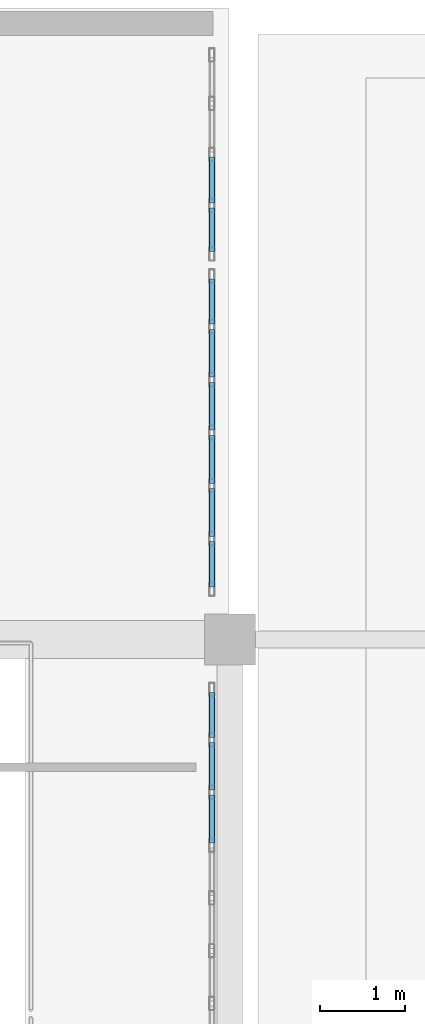
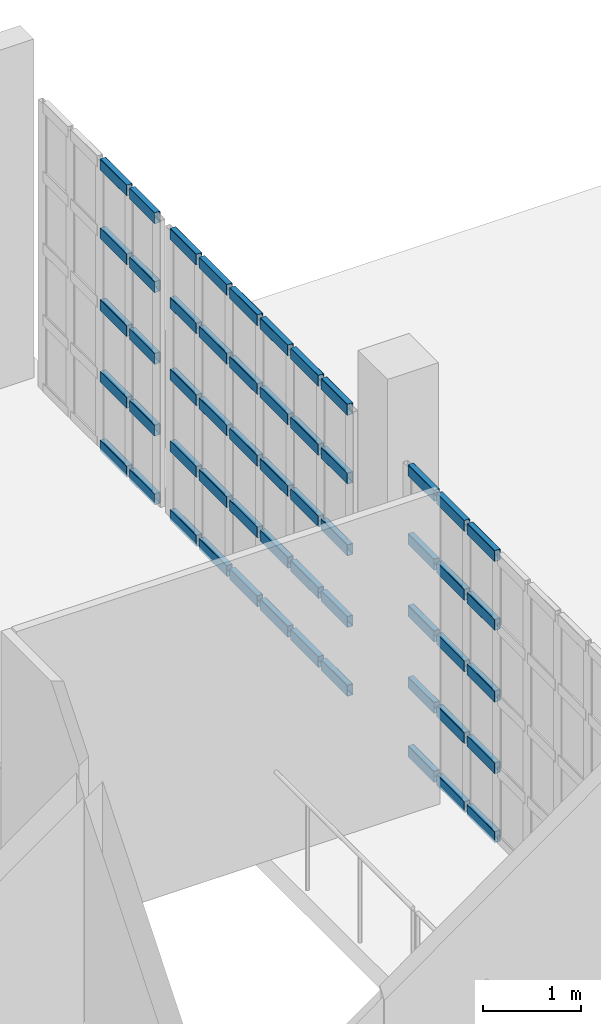
# One storey, part 29 of 56: 55 members, 3 elements without a shape of their own.
"""IFC4 building model written with IfcOpenShell, lengths in metres."""

from ifc_helpers import new_model, si_unit, direction, frame, origin, origin_2d, place, context, subcontext, project, spatial, hollow_rectangle, extrude, material, material_profile, profile_set, type_object, element, aggregate, save


model = new_model("IFC4")

# Units and contexts
model_context = context("Model", 3, precision=1e-05, world=origin(), true_north=direction((0.0, 1.0)))
body_context = subcontext(model_context, "Body", "Model", "MODEL_VIEW")
ifc_project = project(units=[si_unit("LENGTHUNIT", "METRE"), si_unit("AREAUNIT", "SQUARE_METRE"), si_unit("VOLUMEUNIT", "CUBIC_METRE"), si_unit("PLANEANGLEUNIT", "RADIAN"), si_unit("MASSUNIT", "GRAM", prefix="KILO")], contexts=[model_context])

# Site, building, storey
site_placement = place(None, origin())
site = spatial("IfcSite", under=ifc_project, at=site_placement, CompositionType="ELEMENT")
building_placement = place(site_placement, origin())
building = spatial("IfcBuilding", under=site, at=building_placement, Name="Kaelora Sail Theatre", CompositionType="ELEMENT")
storey_placement = place(building_placement, frame((0.0, 0.0, 14.699951171875)))
storey = spatial("IfcBuildingStorey", under=building, at=storey_placement, Name="L03", CompositionType="ELEMENT", Elevation=14.699951171875)

# Curtain wall, members
ifc_material_1 = material(Name="Anodised aluminium and solar-control low-E IGU", Category="aluminium")
curtain_wall_type = type_object("IfcCurtainWallType", Name="ARC-CW-CW-BRG", PredefinedType="NOTDEFINED", material=ifc_material_1)
curtain_wall_1_placement = place(storey_placement, origin())
curtain_wall_1 = element("IfcCurtainWall", 1, at=curtain_wall_1_placement, inside=storey, type_object=curtain_wall_type, Name="Glazed Colonnade/Courtyard Curtain Wall FC1-STEP-E-L03-02", PredefinedType="NOTDEFINED")
ifc_material_2 = material(Name="Anodised aluminium 6063-T6", Category="aluminium")
ifc_material_profile = material_profile(ifc_material_2, hollow_rectangle(XDim=0.070068359375, YDim=0.139892578125, WallThickness=0.00390625, InnerFilletRadius=0.00390625, OuterFilletRadius=0.008056640625, at=origin_2d()), Name="ALU-TRAN 70x140x4")
ifc_profile_set = profile_set([ifc_material_profile], Name="Anodised aluminium 6063-T6")
member_type = type_object("IfcMemberType", Name="ARC-MEM-TR-140", PredefinedType="USERDEFINED", material=ifc_profile_set)
member_1_placement = place(storey_placement, frame((90.389892578125, 73.510009765625, 0.03515625), z_axis=(0.0, 1.0, 0.0), x_axis=(-1.0, 0.0, 0.0)))
member_1 = element("IfcMember", 2, at=member_1_placement, type_object=member_type, Name="CW-BRG transom 5.1", ObjectType="TRANSOM", PredefinedType="USERDEFINED", context=body_context, shape_type="SweptSolid", body=[
    extrude(hollow_rectangle(XDim=0.070068359375, YDim=0.139892578125, WallThickness=0.00390625, InnerFilletRadius=0.00390625, OuterFilletRadius=0.008056640625, at=origin_2d()), origin(), (0.0, 0.0, 1.0), 0.56005859375),
])
member_2_placement = place(storey_placement, frame((90.389892578125, 73.510009765625, 0.894287109375), z_axis=(0.0, 1.0, 0.0), x_axis=(-1.0, 0.0, 0.0)))
member_2 = element("IfcMember", 3, at=member_2_placement, type_object=member_type, Name="CW-BRG transom 5.2", ObjectType="TRANSOM", PredefinedType="USERDEFINED", context=body_context, shape_type="SweptSolid", body=[
    extrude(hollow_rectangle(XDim=0.070068359375, YDim=0.139892578125, WallThickness=0.00390625, InnerFilletRadius=0.00390625, OuterFilletRadius=0.008056640625, at=origin_2d()), origin(), (0.0, 0.0, 1.0), 0.56005859375),
])
member_3_placement = place(storey_placement, frame((90.389892578125, 73.510009765625, 1.78857421875), z_axis=(0.0, 1.0, 0.0), x_axis=(-1.0, 0.0, 0.0)))
member_3 = element("IfcMember", 4, at=member_3_placement, type_object=member_type, Name="CW-BRG transom 5.3", ObjectType="TRANSOM", PredefinedType="USERDEFINED", context=body_context, shape_type="SweptSolid", body=[
    extrude(hollow_rectangle(XDim=0.070068359375, YDim=0.139892578125, WallThickness=0.00390625, InnerFilletRadius=0.00390625, OuterFilletRadius=0.008056640625, at=origin_2d()), origin(), (0.0, 0.0, 1.0), 0.56005859375),
])
member_4_placement = place(storey_placement, frame((90.389892578125, 73.510009765625, 2.682861328125), z_axis=(0.0, 1.0, 0.0), x_axis=(-1.0, 0.0, 0.0)))
member_4 = element("IfcMember", 5, at=member_4_placement, type_object=member_type, Name="CW-BRG transom 5.4", ObjectType="TRANSOM", PredefinedType="USERDEFINED", context=body_context, shape_type="SweptSolid", body=[
    extrude(hollow_rectangle(XDim=0.070068359375, YDim=0.139892578125, WallThickness=0.00390625, InnerFilletRadius=0.00390625, OuterFilletRadius=0.008056640625, at=origin_2d()), origin(), (0.0, 0.0, 1.0), 0.56005859375),
])
member_5_placement = place(storey_placement, frame((90.389892578125, 73.510009765625, 3.5419921875), z_axis=(0.0, 1.0, 0.0), x_axis=(-1.0, 0.0, 0.0)))
member_5 = element("IfcMember", 6, at=member_5_placement, type_object=member_type, Name="CW-BRG transom 5.5", ObjectType="TRANSOM", PredefinedType="USERDEFINED", context=body_context, shape_type="SweptSolid", body=[
    extrude(hollow_rectangle(XDim=0.070068359375, YDim=0.139892578125, WallThickness=0.00390625, InnerFilletRadius=0.00390625, OuterFilletRadius=0.008056640625, at=origin_2d()), origin(), (0.0, 0.0, 1.0), 0.56005859375),
])
member_6_placement = place(storey_placement, frame((90.389892578125, 74.1298828125, 0.03515625), z_axis=(0.0, 1.0, 0.0), x_axis=(-1.0, 0.0, 0.0)))
member_6 = element("IfcMember", 7, at=member_6_placement, type_object=member_type, Name="CW-BRG transom 6.1", ObjectType="TRANSOM", PredefinedType="USERDEFINED", context=body_context, shape_type="SweptSolid", body=[
    extrude(hollow_rectangle(XDim=0.070068359375, YDim=0.139892578125, WallThickness=0.00390625, InnerFilletRadius=0.00390625, OuterFilletRadius=0.008056640625, at=origin_2d()), origin(), (0.0, 0.0, 1.0), 0.56005859375),
])
member_7_placement = place(storey_placement, frame((90.389892578125, 74.1298828125, 0.894287109375), z_axis=(0.0, 1.0, 0.0), x_axis=(-1.0, 0.0, 0.0)))
member_7 = element("IfcMember", 8, at=member_7_placement, type_object=member_type, Name="CW-BRG transom 6.2", ObjectType="TRANSOM", PredefinedType="USERDEFINED", context=body_context, shape_type="SweptSolid", body=[
    extrude(hollow_rectangle(XDim=0.070068359375, YDim=0.139892578125, WallThickness=0.00390625, InnerFilletRadius=0.00390625, OuterFilletRadius=0.008056640625, at=origin_2d()), origin(), (0.0, 0.0, 1.0), 0.56005859375),
])
member_8_placement = place(storey_placement, frame((90.389892578125, 74.1298828125, 1.78857421875), z_axis=(0.0, 1.0, 0.0), x_axis=(-1.0, 0.0, 0.0)))
member_8 = element("IfcMember", 9, at=member_8_placement, type_object=member_type, Name="CW-BRG transom 6.3", ObjectType="TRANSOM", PredefinedType="USERDEFINED", context=body_context, shape_type="SweptSolid", body=[
    extrude(hollow_rectangle(XDim=0.070068359375, YDim=0.139892578125, WallThickness=0.00390625, InnerFilletRadius=0.00390625, OuterFilletRadius=0.008056640625, at=origin_2d()), origin(), (0.0, 0.0, 1.0), 0.56005859375),
])
member_9_placement = place(storey_placement, frame((90.389892578125, 74.1298828125, 2.682861328125), z_axis=(0.0, 1.0, 0.0), x_axis=(-1.0, 0.0, 0.0)))
member_9 = element("IfcMember", 10, at=member_9_placement, type_object=member_type, Name="CW-BRG transom 6.4", ObjectType="TRANSOM", PredefinedType="USERDEFINED", context=body_context, shape_type="SweptSolid", body=[
    extrude(hollow_rectangle(XDim=0.070068359375, YDim=0.139892578125, WallThickness=0.00390625, InnerFilletRadius=0.00390625, OuterFilletRadius=0.008056640625, at=origin_2d()), origin(), (0.0, 0.0, 1.0), 0.56005859375),
])
member_10_placement = place(storey_placement, frame((90.389892578125, 74.1298828125, 3.5419921875), z_axis=(0.0, 1.0, 0.0), x_axis=(-1.0, 0.0, 0.0)))
member_10 = element("IfcMember", 11, at=member_10_placement, type_object=member_type, Name="CW-BRG transom 6.5", ObjectType="TRANSOM", PredefinedType="USERDEFINED", context=body_context, shape_type="SweptSolid", body=[
    extrude(hollow_rectangle(XDim=0.070068359375, YDim=0.139892578125, WallThickness=0.00390625, InnerFilletRadius=0.00390625, OuterFilletRadius=0.008056640625, at=origin_2d()), origin(), (0.0, 0.0, 1.0), 0.56005859375),
])
member_11_placement = place(storey_placement, frame((90.389892578125, 74.75, 0.03515625), z_axis=(0.0, 1.0, 0.0), x_axis=(-1.0, 0.0, 0.0)))
member_11 = element("IfcMember", 12, at=member_11_placement, type_object=member_type, Name="CW-BRG transom 7.1", ObjectType="TRANSOM", PredefinedType="USERDEFINED", context=body_context, shape_type="SweptSolid", body=[
    extrude(hollow_rectangle(XDim=0.070068359375, YDim=0.139892578125, WallThickness=0.00390625, InnerFilletRadius=0.00390625, OuterFilletRadius=0.008056640625, at=origin_2d()), origin(), (0.0, 0.0, 1.0), 0.530029296875),
])
member_12_placement = place(storey_placement, frame((90.389892578125, 74.75, 0.894287109375), z_axis=(0.0, 1.0, 0.0), x_axis=(-1.0, 0.0, 0.0)))
member_12 = element("IfcMember", 13, at=member_12_placement, type_object=member_type, Name="CW-BRG transom 7.2", ObjectType="TRANSOM", PredefinedType="USERDEFINED", context=body_context, shape_type="SweptSolid", body=[
    extrude(hollow_rectangle(XDim=0.070068359375, YDim=0.139892578125, WallThickness=0.00390625, InnerFilletRadius=0.00390625, OuterFilletRadius=0.008056640625, at=origin_2d()), origin(), (0.0, 0.0, 1.0), 0.530029296875),
])
member_13_placement = place(storey_placement, frame((90.389892578125, 74.75, 1.78857421875), z_axis=(0.0, 1.0, 0.0), x_axis=(-1.0, 0.0, 0.0)))
member_13 = element("IfcMember", 14, at=member_13_placement, type_object=member_type, Name="CW-BRG transom 7.3", ObjectType="TRANSOM", PredefinedType="USERDEFINED", context=body_context, shape_type="SweptSolid", body=[
    extrude(hollow_rectangle(XDim=0.070068359375, YDim=0.139892578125, WallThickness=0.00390625, InnerFilletRadius=0.00390625, OuterFilletRadius=0.008056640625, at=origin_2d()), origin(), (0.0, 0.0, 1.0), 0.530029296875),
])
member_14_placement = place(storey_placement, frame((90.389892578125, 74.75, 2.682861328125), z_axis=(0.0, 1.0, 0.0), x_axis=(-1.0, 0.0, 0.0)))
member_14 = element("IfcMember", 15, at=member_14_placement, type_object=member_type, Name="CW-BRG transom 7.4", ObjectType="TRANSOM", PredefinedType="USERDEFINED", context=body_context, shape_type="SweptSolid", body=[
    extrude(hollow_rectangle(XDim=0.070068359375, YDim=0.139892578125, WallThickness=0.00390625, InnerFilletRadius=0.00390625, OuterFilletRadius=0.008056640625, at=origin_2d()), origin(), (0.0, 0.0, 1.0), 0.530029296875),
])
member_15_placement = place(storey_placement, frame((90.389892578125, 74.75, 3.5419921875), z_axis=(0.0, 1.0, 0.0), x_axis=(-1.0, 0.0, 0.0)))
member_15 = element("IfcMember", 16, at=member_15_placement, type_object=member_type, Name="CW-BRG transom 7.5", ObjectType="TRANSOM", PredefinedType="USERDEFINED", context=body_context, shape_type="SweptSolid", body=[
    extrude(hollow_rectangle(XDim=0.070068359375, YDim=0.139892578125, WallThickness=0.00390625, InnerFilletRadius=0.00390625, OuterFilletRadius=0.008056640625, at=origin_2d()), origin(), (0.0, 0.0, 1.0), 0.530029296875),
])
aggregate(curtain_wall_1, [member_1, member_2, member_3, member_4, member_5, member_6, member_7, member_8, member_9, member_10, member_11, member_12, member_13, member_14, member_15])

curtain_wall_2_placement = place(storey_placement, origin())
curtain_wall_2 = element("IfcCurtainWall", 17, at=curtain_wall_2_placement, inside=storey, type_object=curtain_wall_type, Name="Glazed Colonnade/Courtyard Curtain Wall FC1-STEP-E-L03-03", PredefinedType="NOTDEFINED")
member_16_placement = place(storey_placement, frame((90.389892578125, 76.52001953125, 0.03515625), z_axis=(0.0, 1.0, 0.0), x_axis=(-1.0, 0.0, 0.0)))
member_16 = element("IfcMember", 18, at=member_16_placement, type_object=member_type, Name="CW-BRG transom 1.1", ObjectType="TRANSOM", PredefinedType="USERDEFINED", context=body_context, shape_type="SweptSolid", body=[
    extrude(hollow_rectangle(XDim=0.070068359375, YDim=0.139892578125, WallThickness=0.00390625, InnerFilletRadius=0.00390625, OuterFilletRadius=0.008056640625, at=origin_2d()), origin(), (0.0, 0.0, 1.0), 0.533203125),
])
member_17_placement = place(storey_placement, frame((90.389892578125, 76.52001953125, 0.894287109375), z_axis=(0.0, 1.0, 0.0), x_axis=(-1.0, 0.0, 0.0)))
member_17 = element("IfcMember", 19, at=member_17_placement, type_object=member_type, Name="CW-BRG transom 1.2", ObjectType="TRANSOM", PredefinedType="USERDEFINED", context=body_context, shape_type="SweptSolid", body=[
    extrude(hollow_rectangle(XDim=0.070068359375, YDim=0.139892578125, WallThickness=0.00390625, InnerFilletRadius=0.00390625, OuterFilletRadius=0.008056640625, at=origin_2d()), origin(), (0.0, 0.0, 1.0), 0.533203125),
])
member_18_placement = place(storey_placement, frame((90.389892578125, 76.52001953125, 1.78857421875), z_axis=(0.0, 1.0, 0.0), x_axis=(-1.0, 0.0, 0.0)))
member_18 = element("IfcMember", 20, at=member_18_placement, type_object=member_type, Name="CW-BRG transom 1.3", ObjectType="TRANSOM", PredefinedType="USERDEFINED", context=body_context, shape_type="SweptSolid", body=[
    extrude(hollow_rectangle(XDim=0.070068359375, YDim=0.139892578125, WallThickness=0.00390625, InnerFilletRadius=0.00390625, OuterFilletRadius=0.008056640625, at=origin_2d()), origin(), (0.0, 0.0, 1.0), 0.533203125),
])
member_19_placement = place(storey_placement, frame((90.389892578125, 76.52001953125, 2.682861328125), z_axis=(0.0, 1.0, 0.0), x_axis=(-1.0, 0.0, 0.0)))
member_19 = element("IfcMember", 21, at=member_19_placement, type_object=member_type, Name="CW-BRG transom 1.4", ObjectType="TRANSOM", PredefinedType="USERDEFINED", context=body_context, shape_type="SweptSolid", body=[
    extrude(hollow_rectangle(XDim=0.070068359375, YDim=0.139892578125, WallThickness=0.00390625, InnerFilletRadius=0.00390625, OuterFilletRadius=0.008056640625, at=origin_2d()), origin(), (0.0, 0.0, 1.0), 0.533203125),
])
member_20_placement = place(storey_placement, frame((90.389892578125, 76.52001953125, 3.5419921875), z_axis=(0.0, 1.0, 0.0), x_axis=(-1.0, 0.0, 0.0)))
member_20 = element("IfcMember", 22, at=member_20_placement, type_object=member_type, Name="CW-BRG transom 1.5", ObjectType="TRANSOM", PredefinedType="USERDEFINED", context=body_context, shape_type="SweptSolid", body=[
    extrude(hollow_rectangle(XDim=0.070068359375, YDim=0.139892578125, WallThickness=0.00390625, InnerFilletRadius=0.00390625, OuterFilletRadius=0.008056640625, at=origin_2d()), origin(), (0.0, 0.0, 1.0), 0.533203125),
])
member_21_placement = place(storey_placement, frame((90.389892578125, 77.11328125, 0.03515625), z_axis=(0.0, 1.0, 0.0), x_axis=(-1.0, 0.0, 0.0)))
member_21 = element("IfcMember", 23, at=member_21_placement, type_object=member_type, Name="CW-BRG transom 2.1", ObjectType="TRANSOM", PredefinedType="USERDEFINED", context=body_context, shape_type="SweptSolid", body=[
    extrude(hollow_rectangle(XDim=0.070068359375, YDim=0.139892578125, WallThickness=0.00390625, InnerFilletRadius=0.00390625, OuterFilletRadius=0.008056640625, at=origin_2d()), origin(), (0.0, 0.0, 1.0), 0.5634765625),
])
member_22_placement = place(storey_placement, frame((90.389892578125, 77.11328125, 0.894287109375), z_axis=(0.0, 1.0, 0.0), x_axis=(-1.0, 0.0, 0.0)))
member_22 = element("IfcMember", 24, at=member_22_placement, type_object=member_type, Name="CW-BRG transom 2.2", ObjectType="TRANSOM", PredefinedType="USERDEFINED", context=body_context, shape_type="SweptSolid", body=[
    extrude(hollow_rectangle(XDim=0.070068359375, YDim=0.139892578125, WallThickness=0.00390625, InnerFilletRadius=0.00390625, OuterFilletRadius=0.008056640625, at=origin_2d()), origin(), (0.0, 0.0, 1.0), 0.5634765625),
])
member_23_placement = place(storey_placement, frame((90.389892578125, 77.11328125, 1.78857421875), z_axis=(0.0, 1.0, 0.0), x_axis=(-1.0, 0.0, 0.0)))
member_23 = element("IfcMember", 25, at=member_23_placement, type_object=member_type, Name="CW-BRG transom 2.3", ObjectType="TRANSOM", PredefinedType="USERDEFINED", context=body_context, shape_type="SweptSolid", body=[
    extrude(hollow_rectangle(XDim=0.070068359375, YDim=0.139892578125, WallThickness=0.00390625, InnerFilletRadius=0.00390625, OuterFilletRadius=0.008056640625, at=origin_2d()), origin(), (0.0, 0.0, 1.0), 0.5634765625),
])
member_24_placement = place(storey_placement, frame((90.389892578125, 77.11328125, 2.682861328125), z_axis=(0.0, 1.0, 0.0), x_axis=(-1.0, 0.0, 0.0)))
member_24 = element("IfcMember", 26, at=member_24_placement, type_object=member_type, Name="CW-BRG transom 2.4", ObjectType="TRANSOM", PredefinedType="USERDEFINED", context=body_context, shape_type="SweptSolid", body=[
    extrude(hollow_rectangle(XDim=0.070068359375, YDim=0.139892578125, WallThickness=0.00390625, InnerFilletRadius=0.00390625, OuterFilletRadius=0.008056640625, at=origin_2d()), origin(), (0.0, 0.0, 1.0), 0.5634765625),
])
member_25_placement = place(storey_placement, frame((90.389892578125, 77.11328125, 3.5419921875), z_axis=(0.0, 1.0, 0.0), x_axis=(-1.0, 0.0, 0.0)))
member_25 = element("IfcMember", 27, at=member_25_placement, type_object=member_type, Name="CW-BRG transom 2.5", ObjectType="TRANSOM", PredefinedType="USERDEFINED", context=body_context, shape_type="SweptSolid", body=[
    extrude(hollow_rectangle(XDim=0.070068359375, YDim=0.139892578125, WallThickness=0.00390625, InnerFilletRadius=0.00390625, OuterFilletRadius=0.008056640625, at=origin_2d()), origin(), (0.0, 0.0, 1.0), 0.5634765625),
])
member_26_placement = place(storey_placement, frame((90.389892578125, 77.736572265625, 0.03515625), z_axis=(0.0, 1.0, 0.0), x_axis=(-1.0, 0.0, 0.0)))
member_26 = element("IfcMember", 28, at=member_26_placement, type_object=member_type, Name="CW-BRG transom 3.1", ObjectType="TRANSOM", PredefinedType="USERDEFINED", context=body_context, shape_type="SweptSolid", body=[
    extrude(hollow_rectangle(XDim=0.070068359375, YDim=0.139892578125, WallThickness=0.00390625, InnerFilletRadius=0.00390625, OuterFilletRadius=0.008056640625, at=origin_2d()), origin(), (0.0, 0.0, 1.0), 0.5634765625),
])
member_27_placement = place(storey_placement, frame((90.389892578125, 77.736572265625, 0.894287109375), z_axis=(0.0, 1.0, 0.0), x_axis=(-1.0, 0.0, 0.0)))
member_27 = element("IfcMember", 29, at=member_27_placement, type_object=member_type, Name="CW-BRG transom 3.2", ObjectType="TRANSOM", PredefinedType="USERDEFINED", context=body_context, shape_type="SweptSolid", body=[
    extrude(hollow_rectangle(XDim=0.070068359375, YDim=0.139892578125, WallThickness=0.00390625, InnerFilletRadius=0.00390625, OuterFilletRadius=0.008056640625, at=origin_2d()), origin(), (0.0, 0.0, 1.0), 0.5634765625),
])
member_28_placement = place(storey_placement, frame((90.389892578125, 77.736572265625, 1.78857421875), z_axis=(0.0, 1.0, 0.0), x_axis=(-1.0, 0.0, 0.0)))
member_28 = element("IfcMember", 30, at=member_28_placement, type_object=member_type, Name="CW-BRG transom 3.3", ObjectType="TRANSOM", PredefinedType="USERDEFINED", context=body_context, shape_type="SweptSolid", body=[
    extrude(hollow_rectangle(XDim=0.070068359375, YDim=0.139892578125, WallThickness=0.00390625, InnerFilletRadius=0.00390625, OuterFilletRadius=0.008056640625, at=origin_2d()), origin(), (0.0, 0.0, 1.0), 0.5634765625),
])
member_29_placement = place(storey_placement, frame((90.389892578125, 77.736572265625, 2.682861328125), z_axis=(0.0, 1.0, 0.0), x_axis=(-1.0, 0.0, 0.0)))
member_29 = element("IfcMember", 31, at=member_29_placement, type_object=member_type, Name="CW-BRG transom 3.4", ObjectType="TRANSOM", PredefinedType="USERDEFINED", context=body_context, shape_type="SweptSolid", body=[
    extrude(hollow_rectangle(XDim=0.070068359375, YDim=0.139892578125, WallThickness=0.00390625, InnerFilletRadius=0.00390625, OuterFilletRadius=0.008056640625, at=origin_2d()), origin(), (0.0, 0.0, 1.0), 0.5634765625),
])
member_30_placement = place(storey_placement, frame((90.389892578125, 77.736572265625, 3.5419921875), z_axis=(0.0, 1.0, 0.0), x_axis=(-1.0, 0.0, 0.0)))
member_30 = element("IfcMember", 32, at=member_30_placement, type_object=member_type, Name="CW-BRG transom 3.5", ObjectType="TRANSOM", PredefinedType="USERDEFINED", context=body_context, shape_type="SweptSolid", body=[
    extrude(hollow_rectangle(XDim=0.070068359375, YDim=0.139892578125, WallThickness=0.00390625, InnerFilletRadius=0.00390625, OuterFilletRadius=0.008056640625, at=origin_2d()), origin(), (0.0, 0.0, 1.0), 0.5634765625),
])
member_31_placement = place(storey_placement, frame((90.389892578125, 78.360107421875, 0.03515625), z_axis=(0.0, 1.0, 0.0), x_axis=(-1.0, 0.0, 0.0)))
member_31 = element("IfcMember", 33, at=member_31_placement, type_object=member_type, Name="CW-BRG transom 4.1", ObjectType="TRANSOM", PredefinedType="USERDEFINED", context=body_context, shape_type="SweptSolid", body=[
    extrude(hollow_rectangle(XDim=0.070068359375, YDim=0.139892578125, WallThickness=0.00390625, InnerFilletRadius=0.00390625, OuterFilletRadius=0.008056640625, at=origin_2d()), origin(), (0.0, 0.0, 1.0), 0.563232421875),
])
member_32_placement = place(storey_placement, frame((90.389892578125, 78.360107421875, 0.894287109375), z_axis=(0.0, 1.0, 0.0), x_axis=(-1.0, 0.0, 0.0)))
member_32 = element("IfcMember", 34, at=member_32_placement, type_object=member_type, Name="CW-BRG transom 4.2", ObjectType="TRANSOM", PredefinedType="USERDEFINED", context=body_context, shape_type="SweptSolid", body=[
    extrude(hollow_rectangle(XDim=0.070068359375, YDim=0.139892578125, WallThickness=0.00390625, InnerFilletRadius=0.00390625, OuterFilletRadius=0.008056640625, at=origin_2d()), origin(), (0.0, 0.0, 1.0), 0.563232421875),
])
member_33_placement = place(storey_placement, frame((90.389892578125, 78.360107421875, 1.78857421875), z_axis=(0.0, 1.0, 0.0), x_axis=(-1.0, 0.0, 0.0)))
member_33 = element("IfcMember", 35, at=member_33_placement, type_object=member_type, Name="CW-BRG transom 4.3", ObjectType="TRANSOM", PredefinedType="USERDEFINED", context=body_context, shape_type="SweptSolid", body=[
    extrude(hollow_rectangle(XDim=0.070068359375, YDim=0.139892578125, WallThickness=0.00390625, InnerFilletRadius=0.00390625, OuterFilletRadius=0.008056640625, at=origin_2d()), origin(), (0.0, 0.0, 1.0), 0.563232421875),
])
member_34_placement = place(storey_placement, frame((90.389892578125, 78.360107421875, 2.682861328125), z_axis=(0.0, 1.0, 0.0), x_axis=(-1.0, 0.0, 0.0)))
member_34 = element("IfcMember", 36, at=member_34_placement, type_object=member_type, Name="CW-BRG transom 4.4", ObjectType="TRANSOM", PredefinedType="USERDEFINED", context=body_context, shape_type="SweptSolid", body=[
    extrude(hollow_rectangle(XDim=0.070068359375, YDim=0.139892578125, WallThickness=0.00390625, InnerFilletRadius=0.00390625, OuterFilletRadius=0.008056640625, at=origin_2d()), origin(), (0.0, 0.0, 1.0), 0.563232421875),
])
member_35_placement = place(storey_placement, frame((90.389892578125, 78.360107421875, 3.5419921875), z_axis=(0.0, 1.0, 0.0), x_axis=(-1.0, 0.0, 0.0)))
member_35 = element("IfcMember", 37, at=member_35_placement, type_object=member_type, Name="CW-BRG transom 4.5", ObjectType="TRANSOM", PredefinedType="USERDEFINED", context=body_context, shape_type="SweptSolid", body=[
    extrude(hollow_rectangle(XDim=0.070068359375, YDim=0.139892578125, WallThickness=0.00390625, InnerFilletRadius=0.00390625, OuterFilletRadius=0.008056640625, at=origin_2d()), origin(), (0.0, 0.0, 1.0), 0.563232421875),
])
member_36_placement = place(storey_placement, frame((90.389892578125, 78.9833984375, 0.03515625), z_axis=(0.0, 1.0, 0.0), x_axis=(-1.0, 0.0, 0.0)))
member_36 = element("IfcMember", 38, at=member_36_placement, type_object=member_type, Name="CW-BRG transom 5.1", ObjectType="TRANSOM", PredefinedType="USERDEFINED", context=body_context, shape_type="SweptSolid", body=[
    extrude(hollow_rectangle(XDim=0.070068359375, YDim=0.139892578125, WallThickness=0.00390625, InnerFilletRadius=0.00390625, OuterFilletRadius=0.008056640625, at=origin_2d()), origin(), (0.0, 0.0, 1.0), 0.563232421875),
])
member_37_placement = place(storey_placement, frame((90.389892578125, 78.9833984375, 0.894287109375), z_axis=(0.0, 1.0, 0.0), x_axis=(-1.0, 0.0, 0.0)))
member_37 = element("IfcMember", 39, at=member_37_placement, type_object=member_type, Name="CW-BRG transom 5.2", ObjectType="TRANSOM", PredefinedType="USERDEFINED", context=body_context, shape_type="SweptSolid", body=[
    extrude(hollow_rectangle(XDim=0.070068359375, YDim=0.139892578125, WallThickness=0.00390625, InnerFilletRadius=0.00390625, OuterFilletRadius=0.008056640625, at=origin_2d()), origin(), (0.0, 0.0, 1.0), 0.563232421875),
])
member_38_placement = place(storey_placement, frame((90.389892578125, 78.9833984375, 1.78857421875), z_axis=(0.0, 1.0, 0.0), x_axis=(-1.0, 0.0, 0.0)))
member_38 = element("IfcMember", 40, at=member_38_placement, type_object=member_type, Name="CW-BRG transom 5.3", ObjectType="TRANSOM", PredefinedType="USERDEFINED", context=body_context, shape_type="SweptSolid", body=[
    extrude(hollow_rectangle(XDim=0.070068359375, YDim=0.139892578125, WallThickness=0.00390625, InnerFilletRadius=0.00390625, OuterFilletRadius=0.008056640625, at=origin_2d()), origin(), (0.0, 0.0, 1.0), 0.563232421875),
])
member_39_placement = place(storey_placement, frame((90.389892578125, 78.9833984375, 2.682861328125), z_axis=(0.0, 1.0, 0.0), x_axis=(-1.0, 0.0, 0.0)))
member_39 = element("IfcMember", 41, at=member_39_placement, type_object=member_type, Name="CW-BRG transom 5.4", ObjectType="TRANSOM", PredefinedType="USERDEFINED", context=body_context, shape_type="SweptSolid", body=[
    extrude(hollow_rectangle(XDim=0.070068359375, YDim=0.139892578125, WallThickness=0.00390625, InnerFilletRadius=0.00390625, OuterFilletRadius=0.008056640625, at=origin_2d()), origin(), (0.0, 0.0, 1.0), 0.563232421875),
])
member_40_placement = place(storey_placement, frame((90.389892578125, 78.9833984375, 3.5419921875), z_axis=(0.0, 1.0, 0.0), x_axis=(-1.0, 0.0, 0.0)))
member_40 = element("IfcMember", 42, at=member_40_placement, type_object=member_type, Name="CW-BRG transom 5.5", ObjectType="TRANSOM", PredefinedType="USERDEFINED", context=body_context, shape_type="SweptSolid", body=[
    extrude(hollow_rectangle(XDim=0.070068359375, YDim=0.139892578125, WallThickness=0.00390625, InnerFilletRadius=0.00390625, OuterFilletRadius=0.008056640625, at=origin_2d()), origin(), (0.0, 0.0, 1.0), 0.563232421875),
])
member_41_placement = place(storey_placement, frame((90.389892578125, 79.606689453125, 0.03515625), z_axis=(0.0, 1.0, 0.0), x_axis=(-1.0, 0.0, 0.0)))
member_41 = element("IfcMember", 43, at=member_41_placement, type_object=member_type, Name="CW-BRG transom 6.1", ObjectType="TRANSOM", PredefinedType="USERDEFINED", context=body_context, shape_type="SweptSolid", body=[
    extrude(hollow_rectangle(XDim=0.070068359375, YDim=0.139892578125, WallThickness=0.00390625, InnerFilletRadius=0.00390625, OuterFilletRadius=0.008056640625, at=origin_2d()), origin(), (0.0, 0.0, 1.0), 0.533203125),
])
member_42_placement = place(storey_placement, frame((90.389892578125, 79.606689453125, 0.894287109375), z_axis=(0.0, 1.0, 0.0), x_axis=(-1.0, 0.0, 0.0)))
member_42 = element("IfcMember", 44, at=member_42_placement, type_object=member_type, Name="CW-BRG transom 6.2", ObjectType="TRANSOM", PredefinedType="USERDEFINED", context=body_context, shape_type="SweptSolid", body=[
    extrude(hollow_rectangle(XDim=0.070068359375, YDim=0.139892578125, WallThickness=0.00390625, InnerFilletRadius=0.00390625, OuterFilletRadius=0.008056640625, at=origin_2d()), origin(), (0.0, 0.0, 1.0), 0.533203125),
])
member_43_placement = place(storey_placement, frame((90.389892578125, 79.606689453125, 1.78857421875), z_axis=(0.0, 1.0, 0.0), x_axis=(-1.0, 0.0, 0.0)))
member_43 = element("IfcMember", 45, at=member_43_placement, type_object=member_type, Name="CW-BRG transom 6.3", ObjectType="TRANSOM", PredefinedType="USERDEFINED", context=body_context, shape_type="SweptSolid", body=[
    extrude(hollow_rectangle(XDim=0.070068359375, YDim=0.139892578125, WallThickness=0.00390625, InnerFilletRadius=0.00390625, OuterFilletRadius=0.008056640625, at=origin_2d()), origin(), (0.0, 0.0, 1.0), 0.533203125),
])
member_44_placement = place(storey_placement, frame((90.389892578125, 79.606689453125, 2.682861328125), z_axis=(0.0, 1.0, 0.0), x_axis=(-1.0, 0.0, 0.0)))
member_44 = element("IfcMember", 46, at=member_44_placement, type_object=member_type, Name="CW-BRG transom 6.4", ObjectType="TRANSOM", PredefinedType="USERDEFINED", context=body_context, shape_type="SweptSolid", body=[
    extrude(hollow_rectangle(XDim=0.070068359375, YDim=0.139892578125, WallThickness=0.00390625, InnerFilletRadius=0.00390625, OuterFilletRadius=0.008056640625, at=origin_2d()), origin(), (0.0, 0.0, 1.0), 0.533203125),
])
member_45_placement = place(storey_placement, frame((90.389892578125, 79.606689453125, 3.5419921875), z_axis=(0.0, 1.0, 0.0), x_axis=(-1.0, 0.0, 0.0)))
member_45 = element("IfcMember", 47, at=member_45_placement, type_object=member_type, Name="CW-BRG transom 6.5", ObjectType="TRANSOM", PredefinedType="USERDEFINED", context=body_context, shape_type="SweptSolid", body=[
    extrude(hollow_rectangle(XDim=0.070068359375, YDim=0.139892578125, WallThickness=0.00390625, InnerFilletRadius=0.00390625, OuterFilletRadius=0.008056640625, at=origin_2d()), origin(), (0.0, 0.0, 1.0), 0.533203125),
])
aggregate(curtain_wall_2, [member_16, member_17, member_18, member_19, member_20, member_21, member_22, member_23, member_24, member_25, member_26, member_27, member_28, member_29, member_30, member_31, member_32, member_33, member_34, member_35, member_36, member_37, member_38, member_39, member_40, member_41, member_42, member_43, member_44, member_45])

curtain_wall_3_placement = place(storey_placement, origin())
curtain_wall_3 = element("IfcCurtainWall", 48, at=curtain_wall_3_placement, inside=storey, type_object=curtain_wall_type, Name="Glazed Colonnade/Courtyard Curtain Wall FC1-STEP-E-L03-04", PredefinedType="NOTDEFINED")
member_46_placement = place(storey_placement, frame((90.389892578125, 80.4599609375, 0.03515625), z_axis=(0.0, 1.0, 0.0), x_axis=(-1.0, 0.0, 0.0)))
member_46 = element("IfcMember", 49, at=member_46_placement, type_object=member_type, Name="CW-BRG transom 1.1", ObjectType="TRANSOM", PredefinedType="USERDEFINED", context=body_context, shape_type="SweptSolid", body=[
    extrude(hollow_rectangle(XDim=0.070068359375, YDim=0.139892578125, WallThickness=0.00390625, InnerFilletRadius=0.00390625, OuterFilletRadius=0.008056640625, at=origin_2d()), origin(), (0.0, 0.0, 1.0), 0.510009765625),
])
member_47_placement = place(storey_placement, frame((90.389892578125, 80.4599609375, 0.894287109375), z_axis=(0.0, 1.0, 0.0), x_axis=(-1.0, 0.0, 0.0)))
member_47 = element("IfcMember", 50, at=member_47_placement, type_object=member_type, Name="CW-BRG transom 1.2", ObjectType="TRANSOM", PredefinedType="USERDEFINED", context=body_context, shape_type="SweptSolid", body=[
    extrude(hollow_rectangle(XDim=0.070068359375, YDim=0.139892578125, WallThickness=0.00390625, InnerFilletRadius=0.00390625, OuterFilletRadius=0.008056640625, at=origin_2d()), origin(), (0.0, 0.0, 1.0), 0.510009765625),
])
member_48_placement = place(storey_placement, frame((90.389892578125, 80.4599609375, 1.78857421875), z_axis=(0.0, 1.0, 0.0), x_axis=(-1.0, 0.0, 0.0)))
member_48 = element("IfcMember", 51, at=member_48_placement, type_object=member_type, Name="CW-BRG transom 1.3", ObjectType="TRANSOM", PredefinedType="USERDEFINED", context=body_context, shape_type="SweptSolid", body=[
    extrude(hollow_rectangle(XDim=0.070068359375, YDim=0.139892578125, WallThickness=0.00390625, InnerFilletRadius=0.00390625, OuterFilletRadius=0.008056640625, at=origin_2d()), origin(), (0.0, 0.0, 1.0), 0.510009765625),
])
member_49_placement = place(storey_placement, frame((90.389892578125, 80.4599609375, 2.682861328125), z_axis=(0.0, 1.0, 0.0), x_axis=(-1.0, 0.0, 0.0)))
member_49 = element("IfcMember", 52, at=member_49_placement, type_object=member_type, Name="CW-BRG transom 1.4", ObjectType="TRANSOM", PredefinedType="USERDEFINED", context=body_context, shape_type="SweptSolid", body=[
    extrude(hollow_rectangle(XDim=0.070068359375, YDim=0.139892578125, WallThickness=0.00390625, InnerFilletRadius=0.00390625, OuterFilletRadius=0.008056640625, at=origin_2d()), origin(), (0.0, 0.0, 1.0), 0.510009765625),
])
member_50_placement = place(storey_placement, frame((90.389892578125, 80.4599609375, 3.5419921875), z_axis=(0.0, 1.0, 0.0), x_axis=(-1.0, 0.0, 0.0)))
member_50 = element("IfcMember", 53, at=member_50_placement, type_object=member_type, Name="CW-BRG transom 1.5", ObjectType="TRANSOM", PredefinedType="USERDEFINED", context=body_context, shape_type="SweptSolid", body=[
    extrude(hollow_rectangle(XDim=0.070068359375, YDim=0.139892578125, WallThickness=0.00390625, InnerFilletRadius=0.00390625, OuterFilletRadius=0.008056640625, at=origin_2d()), origin(), (0.0, 0.0, 1.0), 0.510009765625),
])
member_51_placement = place(storey_placement, frame((90.389892578125, 81.030029296875, 0.03515625), z_axis=(0.0, 1.0, 0.0), x_axis=(-1.0, 0.0, 0.0)))
member_51 = element("IfcMember", 54, at=member_51_placement, type_object=member_type, Name="CW-BRG transom 2.1", ObjectType="TRANSOM", PredefinedType="USERDEFINED", context=body_context, shape_type="SweptSolid", body=[
    extrude(hollow_rectangle(XDim=0.070068359375, YDim=0.139892578125, WallThickness=0.00390625, InnerFilletRadius=0.00390625, OuterFilletRadius=0.008056640625, at=origin_2d()), origin(), (0.0, 0.0, 1.0), 0.5400390625),
])
member_52_placement = place(storey_placement, frame((90.389892578125, 81.030029296875, 0.894287109375), z_axis=(0.0, 1.0, 0.0), x_axis=(-1.0, 0.0, 0.0)))
member_52 = element("IfcMember", 55, at=member_52_placement, type_object=member_type, Name="CW-BRG transom 2.2", ObjectType="TRANSOM", PredefinedType="USERDEFINED", context=body_context, shape_type="SweptSolid", body=[
    extrude(hollow_rectangle(XDim=0.070068359375, YDim=0.139892578125, WallThickness=0.00390625, InnerFilletRadius=0.00390625, OuterFilletRadius=0.008056640625, at=origin_2d()), origin(), (0.0, 0.0, 1.0), 0.5400390625),
])
member_53_placement = place(storey_placement, frame((90.389892578125, 81.030029296875, 1.78857421875), z_axis=(0.0, 1.0, 0.0), x_axis=(-1.0, 0.0, 0.0)))
member_53 = element("IfcMember", 56, at=member_53_placement, type_object=member_type, Name="CW-BRG transom 2.3", ObjectType="TRANSOM", PredefinedType="USERDEFINED", context=body_context, shape_type="SweptSolid", body=[
    extrude(hollow_rectangle(XDim=0.070068359375, YDim=0.139892578125, WallThickness=0.00390625, InnerFilletRadius=0.00390625, OuterFilletRadius=0.008056640625, at=origin_2d()), origin(), (0.0, 0.0, 1.0), 0.5400390625),
])
member_54_placement = place(storey_placement, frame((90.389892578125, 81.030029296875, 2.682861328125), z_axis=(0.0, 1.0, 0.0), x_axis=(-1.0, 0.0, 0.0)))
member_54 = element("IfcMember", 57, at=member_54_placement, type_object=member_type, Name="CW-BRG transom 2.4", ObjectType="TRANSOM", PredefinedType="USERDEFINED", context=body_context, shape_type="SweptSolid", body=[
    extrude(hollow_rectangle(XDim=0.070068359375, YDim=0.139892578125, WallThickness=0.00390625, InnerFilletRadius=0.00390625, OuterFilletRadius=0.008056640625, at=origin_2d()), origin(), (0.0, 0.0, 1.0), 0.5400390625),
])
member_55_placement = place(storey_placement, frame((90.389892578125, 81.030029296875, 3.5419921875), z_axis=(0.0, 1.0, 0.0), x_axis=(-1.0, 0.0, 0.0)))
member_55 = element("IfcMember", 58, at=member_55_placement, type_object=member_type, Name="CW-BRG transom 2.5", ObjectType="TRANSOM", PredefinedType="USERDEFINED", context=body_context, shape_type="SweptSolid", body=[
    extrude(hollow_rectangle(XDim=0.070068359375, YDim=0.139892578125, WallThickness=0.00390625, InnerFilletRadius=0.00390625, OuterFilletRadius=0.008056640625, at=origin_2d()), origin(), (0.0, 0.0, 1.0), 0.5400390625),
])
aggregate(curtain_wall_3, [member_46, member_47, member_48, member_49, member_50, member_51, member_52, member_53, member_54, member_55])

save(model, "model.ifc")
